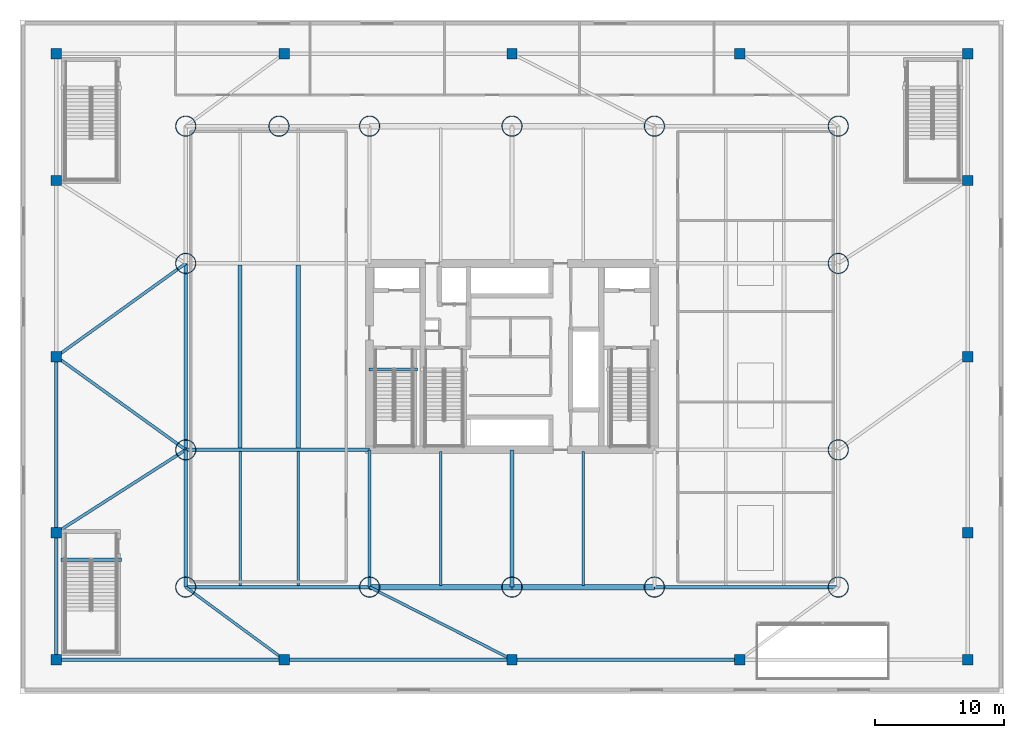
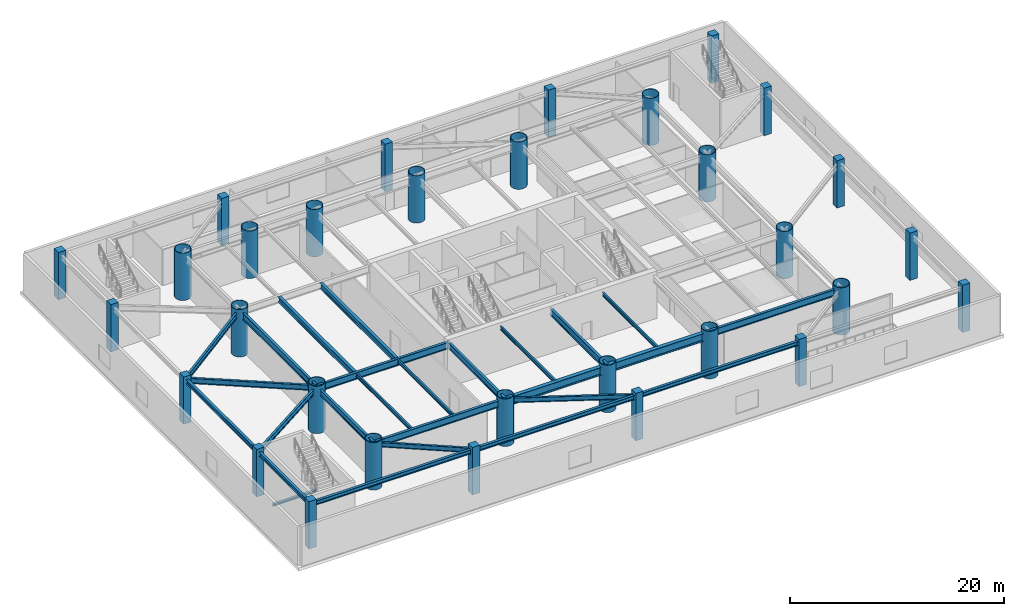
# One storey, part 1 of 16: 31 columns, 27 beams.
"""IFC4 building model written with IfcOpenShell, lengths in metres."""

import ifcopenshell
import ifcopenshell.guid

model = None  # the IFC model being written
_history = None  # IfcOwnerHistory: only IFC2X3 demands one
_inside = {}  # id of a spatial element -> (the spatial element, [elements in it])
_under = {}  # id of a project, library or spatial element -> (it, [spatial elements below it])
_declared = {}  # id of a project -> (the project, [libraries it declares])
_typed = {}  # id of a type object -> (the type object, [elements of that type])
_made_of = {}  # id of a material, layer set ... -> (it, [elements and type objects made of it])


def new_model(schema):
    """Start an empty IFC model of exactly this schema.

    Asked for "IFC4X3", IfcOpenShell would pick the latest addendum, in which some entities
    have other attributes; the version numbers below select the first issue.
    IFC2X3 requires an IfcOwnerHistory on every rooted entity: one is made here for all.
    """
    global model, _history
    if schema == "IFC4X3":
        model = ifcopenshell.file(schema_version=(4, 3, 0, 0))
    else:
        model = ifcopenshell.file(schema=schema)
    _inside.clear()
    _under.clear()
    _declared.clear()
    _typed.clear()
    _made_of.clear()
    _history = None
    if model.schema == "IFC2X3":
        org = make("IfcOrganization", Name="unknown")
        user = make(
            "IfcPersonAndOrganization",
            ThePerson=make("IfcPerson", FamilyName="unknown"),
            TheOrganization=org,
        )
        app = make(
            "IfcApplication",
            ApplicationDeveloper=org,
            Version="unknown",
            ApplicationFullName="unknown",
            ApplicationIdentifier="unknown",
        )
        _history = make(
            "IfcOwnerHistory",
            OwningUser=user,
            OwningApplication=app,
            ChangeAction="ADDED",
            CreationDate=0,
        )
    return model


def make(cls, **values):
    """One entity of the class cls with the attributes given. An attribute that is None is left unset."""
    return model.create_entity(
        cls, **{name: value for name, value in values.items() if value is not None}
    )


def rooted(cls, **values):
    """An entity with a GlobalId (a new one), such as an element, a storey or a relation."""
    return make(cls, GlobalId=ifcopenshell.guid.new(), OwnerHistory=_history, **values)


def si_unit(unit_type, name, prefix=None):
    """IfcSIUnit, for example si_unit("LENGTHUNIT", "METRE", prefix="MILLI")."""
    return make("IfcSIUnit", UnitType=unit_type, Prefix=prefix, Name=name)


def assignment(units):
    """IfcUnitAssignment: the units of a project."""
    return None if units is None else make("IfcUnitAssignment", Units=units)


def point(xyz):
    """IfcCartesianPoint."""
    return None if xyz is None else make("IfcCartesianPoint", Coordinates=xyz)


def direction(xyz):
    """IfcDirection."""
    return None if xyz is None else make("IfcDirection", DirectionRatios=xyz)


def frame(location, z_axis=None, x_axis=None):
    """IfcAxis2Placement3D, a coordinate frame: its origin and axes. An axis left out is left unset."""
    return make(
        "IfcAxis2Placement3D",
        Location=point(location),
        Axis=direction(z_axis),
        RefDirection=direction(x_axis),
    )


def frame_2d(location, x_axis=None):
    """IfcAxis2Placement2D, a coordinate frame in the plane: its origin and x axis."""
    return make(
        "IfcAxis2Placement2D", Location=point(location), RefDirection=direction(x_axis)
    )


def origin():
    """The frame at (0, 0, 0) with its axes left unset."""
    return frame((0.0, 0.0, 0.0))


def origin_2d():
    """The frame at (0, 0) in the plane with its x axis left unset."""
    return frame_2d((0.0, 0.0))


def place(relative_to, where):
    """IfcLocalPlacement: puts the frame where relative to a parent placement (None: the world)."""
    return make(
        "IfcLocalPlacement", PlacementRelTo=relative_to, RelativePlacement=where
    )


def context(
    kind, dimensions, precision=None, world=None, true_north=None, identifier=None
):
    """IfcGeometricRepresentationContext, for example the 3D "Model" context."""
    return make(
        "IfcGeometricRepresentationContext",
        ContextIdentifier=identifier,
        ContextType=kind,
        CoordinateSpaceDimension=dimensions,
        Precision=precision,
        WorldCoordinateSystem=world,
        TrueNorth=true_north,
    )


def subcontext(parent, identifier, kind, view, scale=None):
    """IfcGeometricRepresentationSubContext, for example "Body" below "Model"."""
    return make(
        "IfcGeometricRepresentationSubContext",
        ContextIdentifier=identifier,
        ContextType=kind,
        ParentContext=parent,
        TargetScale=scale,
        TargetView=view,
    )


def project(units=None, contexts=None):
    """IfcProject with its units and contexts."""
    return rooted(
        "IfcProject",
        Name="project",
        RepresentationContexts=contexts,
        UnitsInContext=assignment(units),
    )


def spatial(cls, under=None, at=None, **own):
    """A site, building, storey or space (cls), placed at a placement, below another one or the project."""
    s = rooted(cls, ObjectPlacement=at, **own)
    if under is not None:
        _under.setdefault(under.id(), (under, []))[1].append(s)
    return s


def profile(cls, at=None, kind="AREA", **sizes):
    """A parametric profile (cls). Its sizes go by their IFC names, for example OverallWidth=200.0."""
    return make(cls, ProfileType=kind, Position=at, **sizes)


def rectangle(**sizes):
    """IfcRectangleProfileDef."""
    return profile("IfcRectangleProfileDef", **sizes)


def hollow_circle(**sizes):
    """IfcCircleHollowProfileDef."""
    return profile("IfcCircleHollowProfileDef", **sizes)


def i_section(**sizes):
    """IfcIShapeProfileDef."""
    return profile("IfcIShapeProfileDef", **sizes)


def extrude(swept, where, along, depth):
    """IfcExtrudedAreaSolid: the profile swept, set in the frame where, extruded along a direction by depth."""
    return make(
        "IfcExtrudedAreaSolid",
        SweptArea=swept,
        Position=where,
        ExtrudedDirection=direction(along),
        Depth=depth,
    )


def shape(context_of_items, identifier, shape_type, items):
    """IfcShapeRepresentation: the items that make up one representation, for example the "Body"."""
    return make(
        "IfcShapeRepresentation",
        ContextOfItems=context_of_items,
        RepresentationIdentifier=identifier,
        RepresentationType=shape_type,
        Items=items,
    )


def material(Name=None, Category=None):
    """IfcMaterial."""
    return make("IfcMaterial", Name=Name, Category=Category)


def material_profile(
    of_material, cross_section, Name=None, Category=None, Priority=None
):
    """IfcMaterialProfile: a cross section and its material."""
    return make(
        "IfcMaterialProfile",
        Name=Name,
        Material=of_material,
        Profile=cross_section,
        Priority=Priority,
        Category=Category,
    )


def profile_set(profiles, Name=None, composite=None):
    """IfcMaterialProfileSet."""
    return make(
        "IfcMaterialProfileSet",
        Name=Name,
        MaterialProfiles=profiles,
        CompositeProfile=composite,
    )


def made_of(thing, what):
    """Note that an element or type object is made of a material, layer set ...; save() writes the relation."""
    if what is not None:
        _made_of.setdefault(what.id(), (what, []))[1].append(thing)
    return thing


def type_object(cls, material=None, **own):
    """A type object (cls), such as IfcWallType, which elements share."""
    return made_of(rooted(cls, **own), material)


def element(
    cls,
    number,
    at=None,
    inside=None,
    cuts=None,
    type_object=None,
    material=None,
    context=None,
    identifier="Body",
    shape_type=None,
    held_by="IfcProductDefinitionShape",
    body=None,
    shapes=None,
    **own,
):
    """One element of the class cls, such as IfcWall. Its Tag is "e" and its number.

    at: its placement. inside: the storey or other place that contains it. cuts: it is an
    opening in that element (IfcRelVoidsElement). A single representation is given by context,
    identifier, shape_type and body (its items); several are given by shapes. held_by: the class
    of the entity that holds the representations. save() writes the other relations.
    """
    e = rooted(cls, Tag="e%d" % number, ObjectPlacement=at, **own)
    if body is not None:
        shapes = [shape(context, identifier, shape_type, body)]
    if shapes is not None:
        e.Representation = make(held_by, Representations=shapes)
    if inside is not None:
        _inside.setdefault(inside.id(), (inside, []))[1].append(e)
    if cuts is not None:
        rooted(
            "IfcRelVoidsElement", RelatingBuildingElement=cuts, RelatedOpeningElement=e
        )
    if type_object is not None:
        _typed.setdefault(type_object.id(), (type_object, []))[1].append(e)
    return made_of(e, material)


def aggregate(whole, parts):
    """IfcRelAggregates: a whole, such as a stair, and the parts it consists of."""
    return rooted("IfcRelAggregates", RelatingObject=whole, RelatedObjects=parts)


def save(model, path):
    """Write the relations noted so far, then the file.

    IfcRelAggregates (storeys below a building ...), IfcRelContainedInSpatialStructure (elements
    in a storey), IfcRelDefinesByType, IfcRelAssociatesMaterial and IfcRelDeclares: one each for
    every whole, place, type object, material and project.
    """
    for whole, parts in _under.values():
        aggregate(whole, parts)
    for where, things in _inside.values():
        rooted(
            "IfcRelContainedInSpatialStructure",
            RelatedElements=things,
            RelatingStructure=where,
        )
    for kind, things in _typed.values():
        rooted("IfcRelDefinesByType", RelatedObjects=things, RelatingType=kind)
    for what, things in _made_of.values():
        rooted("IfcRelAssociatesMaterial", RelatedObjects=things, RelatingMaterial=what)
    for by, libraries in _declared.values():
        rooted("IfcRelDeclares", RelatingContext=by, RelatedDefinitions=libraries)
    model.write(path)


model = new_model("IFC4")

# Units and contexts
model_context = context("Model", 3, precision=1e-05, world=origin(), true_north=direction((0.0, 1.0)))
body_context = subcontext(model_context, "Body", "Model", "MODEL_VIEW")
ifc_project = project(units=[si_unit("LENGTHUNIT", "METRE"), si_unit("AREAUNIT", "SQUARE_METRE"), si_unit("VOLUMEUNIT", "CUBIC_METRE"), si_unit("PLANEANGLEUNIT", "RADIAN"), si_unit("MASSUNIT", "GRAM", prefix="KILO")], contexts=[model_context])

# Site, building, storey
site_placement = place(None, origin())
site = spatial("IfcSite", under=ifc_project, at=site_placement, CompositionType="ELEMENT")
building_placement = place(site_placement, origin())
building = spatial("IfcBuilding", under=site, at=building_placement, Name="Bramvorn Convention Spire", CompositionType="ELEMENT")
storey_placement = place(building_placement, frame((0.0, 0.0, 30.0)))
storey = spatial("IfcBuildingStorey", under=building, at=storey_placement, Name="L05", CompositionType="ELEMENT", Elevation=30.0)

# Columns
ifc_material_1 = material(Name="Steel CSA G40.21 Grade 350 (350W)", Category="steel")
ifc_material_profile_1 = material_profile(ifc_material_1, hollow_circle(Radius=0.800048828125, WallThickness=0.06005859375, at=origin_2d()))
ifc_profile_set_1 = profile_set([ifc_material_profile_1], Name="Steel CSA G40.21 Grade 350 (350W) - CFT1600X60")
column_type_1 = type_object("IfcColumnType", Name="COL-CFT1600X60", PredefinedType="COLUMN", material=ifc_profile_set_1)
for number, where, z_axis, x_axis, name in (
    (1, (12.800048828125, 8.199951171875, 0.0), (0.0, 0.0, 1.0), (1.0, 0.0, 0.0), "L05 podium transfer mega-column PR01"),
    (2, (27.0, 8.199951171875, 0.0), (0.0, 0.0, 1.0), (1.0, 0.0, 0.0), "L05 podium transfer mega-column PR02"),
    (3, (38.0, 8.199951171875, 0.0), (0.0, 0.0, 1.0), (1.0, 0.0, 0.0), "L05 podium transfer mega-column PR13"),
    (4, (49.0, 8.199951171875, 0.0), (0.0, 0.0, 1.0), (1.0, 0.0, 0.0), "L05 podium transfer mega-column PR03"),
    (5, (63.199951171875, 8.199951171875, 0.0), (0.0, 0.0, 1.0), (1.0, 0.0, 0.0), "L05 podium transfer mega-column PR04"),
    (6, (12.800048828125, 18.800048828125, 0.0), (0.0, 0.0, 1.0), (1.0, 0.0, 0.0), "L05 podium transfer mega-column PR05"),
    (7, (63.199951171875, 18.800048828125, 0.0), (0.0, 0.0, 1.0), (1.0, 0.0, 0.0), "L05 podium transfer mega-column PR06"),
    (8, (12.800048828125, 33.199951171875, 0.0), (0.0, 0.0, 1.0), (1.0, 0.0, 0.0), "L05 podium transfer mega-column PR07"),
    (9, (63.199951171875, 33.199951171875, 0.0), (0.0, 0.0, 1.0), (1.0, 0.0, 0.0), "L05 podium transfer mega-column PR08"),
    (10, (12.800048828125, 43.800048828125, 0.0), (0.0, 0.0, 1.0), (1.0, 0.0, 0.0), "L05 podium transfer mega-column PR09"),
    (11, (20.0, 43.800048828125, 0.0), (0.0, 0.0, 1.0), (1.0, 0.0, 0.0), "L05 podium transfer mega-column PR15"),
    (12, (27.0, 43.800048828125, 0.0), (0.0, 0.0, 1.0), (1.0, 0.0, 0.0), "L05 podium transfer mega-column PR10"),
    (13, (38.0, 43.800048828125, 0.0), (0.0, 0.0, 1.0), (1.0, 0.0, 0.0), "L05 podium transfer mega-column PR14"),
    (14, (49.0, 43.800048828125, 0.0), (0.0, 0.0, 1.0), (1.0, 0.0, 0.0), "L05 podium transfer mega-column PR11"),
    (15, (63.199951171875, 43.800048828125, 0.0), (0.0, 0.0, 1.0), (1.0, 0.0, 0.0), "L05 podium transfer mega-column PR12"),
):
    element("IfcColumn", number, at=place(storey_placement, frame(where, z_axis=z_axis, x_axis=x_axis)), inside=storey, type_object=column_type_1, Name=name, PredefinedType="COLUMN", context=body_context, shape_type="SweptSolid", body=[
        extrude(hollow_circle(Radius=0.800048828125, WallThickness=0.06005859375, at=origin_2d()), origin(), (0.0, 0.0, 1.0), 5.39990234375),
    ])
ifc_material_2 = material(Name="Concrete C60/70", Category="concrete")
ifc_material_profile_2 = material_profile(ifc_material_2, rectangle(XDim=0.800048828125, YDim=0.800048828125, at=origin_2d()))
ifc_profile_set_2 = profile_set([ifc_material_profile_2], Name="Concrete C60/70 - RC800X800")
column_type_2 = type_object("IfcColumnType", Name="COL-RC800X800", PredefinedType="COLUMN", material=ifc_profile_set_2)
for number, where, z_axis, x_axis, name in (
    (16, (2.800048828125, 2.60009765625, 0.0), (0.0, 0.0, 1.0), (1.0, 0.0, 0.0), "L05 podium perimeter column PC01"),
    (17, (2.800048828125, 12.39990234375, 0.0), (0.0, 0.0, 1.0), (1.0, 0.0, 0.0), "L05 podium perimeter column PC02"),
    (18, (2.800048828125, 26.0, 0.0), (0.0, 0.0, 1.0), (1.0, 0.0, 0.0), "L05 podium perimeter column PC03"),
    (19, (2.800048828125, 39.60009765625, 0.0), (0.0, 0.0, 1.0), (1.0, 0.0, 0.0), "L05 podium perimeter column PC04"),
    (20, (2.800048828125, 49.39990234375, 0.0), (0.0, 0.0, 1.0), (1.0, 0.0, 0.0), "L05 podium perimeter column PC05"),
    (21, (73.199951171875, 2.60009765625, 0.0), (0.0, 0.0, 1.0), (1.0, 0.0, 0.0), "L05 podium perimeter column PC06"),
    (22, (73.199951171875, 12.39990234375, 0.0), (0.0, 0.0, 1.0), (1.0, 0.0, 0.0), "L05 podium perimeter column PC07"),
    (23, (73.199951171875, 26.0, 0.0), (0.0, 0.0, 1.0), (1.0, 0.0, 0.0), "L05 podium perimeter column PC08"),
    (24, (73.199951171875, 39.60009765625, 0.0), (0.0, 0.0, 1.0), (1.0, 0.0, 0.0), "L05 podium perimeter column PC09"),
    (25, (73.199951171875, 49.39990234375, 0.0), (0.0, 0.0, 1.0), (1.0, 0.0, 0.0), "L05 podium perimeter column PC10"),
    (26, (20.39990234375, 2.60009765625, 0.0), (0.0, 0.0, 1.0), (1.0, 0.0, 0.0), "L05 podium perimeter column PC11"),
    (27, (38.0, 2.60009765625, 0.0), (0.0, 0.0, 1.0), (1.0, 0.0, 0.0), "L05 podium perimeter column PC12"),
    (28, (55.60009765625, 2.60009765625, 0.0), (0.0, 0.0, 1.0), (1.0, 0.0, 0.0), "L05 podium perimeter column PC13"),
    (29, (20.39990234375, 49.39990234375, 0.0), (0.0, 0.0, 1.0), (1.0, 0.0, 0.0), "L05 podium perimeter column PC14"),
    (30, (38.0, 49.39990234375, 0.0), (0.0, 0.0, 1.0), (1.0, 0.0, 0.0), "L05 podium perimeter column PC15"),
    (31, (55.60009765625, 49.39990234375, 0.0), (0.0, 0.0, 1.0), (1.0, 0.0, 0.0), "L05 podium perimeter column PC16"),
):
    element("IfcColumn", number, at=place(storey_placement, frame(where, z_axis=z_axis, x_axis=x_axis)), inside=storey, type_object=column_type_2, Name=name, PredefinedType="COLUMN", context=body_context, shape_type="SweptSolid", body=[
        extrude(rectangle(XDim=0.800048828125, YDim=0.800048828125, at=origin_2d()), origin(), (0.0, 0.0, 1.0), 5.39990234375),
    ])

# Beams
ifc_material_profile_3 = material_profile(ifc_material_1, i_section(OverallWidth=0.25390625, OverallDepth=0.2529296875, WebThickness=0.008544921875, FlangeThickness=0.01416015625, FilletRadius=0.011962890625, at=origin_2d()))
ifc_profile_set_3 = profile_set([ifc_material_profile_3], Name="Steel CSA G40.21 Grade 350 (350W) - W250X73")
beam_type_1 = type_object("IfcBeamType", Name="BM-W250X73", PredefinedType="BEAM", material=ifc_profile_set_3)
beam_1_placement = place(storey_placement, frame((26.949951171875, 25.010009765625, -0.12646484375), z_axis=(1.0, 0.0, 0.0), x_axis=(0.0, 1.0, 0.0)))
element("IfcBeam", 32, at=beam_1_placement, inside=storey, type_object=beam_type_1, Name="L05 ST1 stair arrival header beam", PredefinedType="BEAM", context=body_context, shape_type="SweptSolid", body=[
    extrude(i_section(OverallWidth=0.25390625, OverallDepth=0.2529296875, WebThickness=0.008544921875, FlangeThickness=0.01416015625, FilletRadius=0.011962890625, at=origin_2d()), origin(), (0.0, 0.0, 1.0), 3.739990234375),
])
beam_2_placement = place(storey_placement, frame((3.14990234375, 10.31005859375, -0.12646484375), z_axis=(1.0, 0.0, 0.0), x_axis=(0.0, 1.0, 0.0)))
element("IfcBeam", 33, at=beam_2_placement, inside=storey, type_object=beam_type_1, Name="L05 ST4 stair arrival header beam", PredefinedType="BEAM", context=body_context, shape_type="SweptSolid", body=[
    extrude(i_section(OverallWidth=0.25390625, OverallDepth=0.2529296875, WebThickness=0.008544921875, FlangeThickness=0.01416015625, FilletRadius=0.011962890625, at=origin_2d()), origin(), (0.0, 0.0, 1.0), 4.68017578125),
])
ifc_material_profile_4 = material_profile(ifc_material_1, i_section(OverallWidth=0.180908203125, OverallDepth=0.4169921875, WebThickness=0.010986328125, FlangeThickness=0.018310546875, FilletRadius=0.01611328125, at=origin_2d()))
ifc_profile_set_4 = profile_set([ifc_material_profile_4], Name="Steel CSA G40.21 Grade 350 (350W) - W410X85")
beam_type_2 = type_object("IfcBeamType", Name="BM-W410X85", PredefinedType="JOIST", material=ifc_profile_set_4)
for number, where, z_axis, x_axis, name in (
    (34, (17.0, 8.340087890625, 4.79150390625), (0.0, 1.0, 0.0), (-1.0, 0.0, 0.0), "L05 side hall joist S-1"),
    (35, (21.5, 8.340087890625, 4.79150390625), (0.0, 1.0, 0.0), (-1.0, 0.0, 0.0), "L05 side hall joist S-2"),
    (36, (32.5, 8.340087890625, 4.79150390625), (0.0, 1.0, 0.0), (-1.0, 0.0, 0.0), "L05 south hall composite joist 3"),
    (37, (43.5, 8.340087890625, 4.79150390625), (0.0, 1.0, 0.0), (-1.0, 0.0, 0.0), "L05 south hall composite joist 4"),
):
    element("IfcBeam", number, at=place(storey_placement, frame(where, z_axis=z_axis, x_axis=x_axis)), inside=storey, type_object=beam_type_2, Name=name, PredefinedType="JOIST", context=body_context, shape_type="SweptSolid", body=[
        extrude(i_section(OverallWidth=0.180908203125, OverallDepth=0.4169921875, WebThickness=0.010986328125, FlangeThickness=0.018310546875, FilletRadius=0.01611328125, at=origin_2d()), origin(), (0.0, 0.0, 1.0), 10.31982421875),
    ])
ifc_material_profile_5 = material_profile(ifc_material_1, i_section(OverallWidth=0.283935546875, OverallDepth=0.47607421875, WebThickness=0.014892578125, FlangeThickness=0.02392578125, FilletRadius=0.01806640625, at=origin_2d()))
ifc_profile_set_5 = profile_set([ifc_material_profile_5], Name="Steel CSA G40.21 Grade 350 (350W) - W460X158")
beam_type_3 = type_object("IfcBeamType", Name="BM-W460X158", PredefinedType="SPANDREL", material=ifc_profile_set_5)
beam_3_placement = place(storey_placement, frame((2.800048828125, 2.60009765625, 4.761962890625), z_axis=(1.0, 0.0, 0.0), x_axis=(0.0, 1.0, 0.0)))
element("IfcBeam", 38, at=beam_3_placement, inside=storey, type_object=beam_type_3, Name="L05 podium spandrel beam 01", PredefinedType="SPANDREL", context=body_context, shape_type="SweptSolid", body=[
    extrude(i_section(OverallWidth=0.283935546875, OverallDepth=0.47607421875, WebThickness=0.014892578125, FlangeThickness=0.02392578125, FilletRadius=0.01806640625, at=origin_2d()), origin(), (0.0, 0.0, 1.0), 17.599853515625),
])
for number, where, z_axis, x_axis, name in (
    (39, (20.39990234375, 2.60009765625, 4.761962890625), (1.0, 0.0, 0.0), (0.0, 1.0, 0.0), "L05 podium spandrel beam 02"),
    (40, (38.0, 2.60009765625, 4.761962890625), (1.0, 0.0, 0.0), (0.0, 1.0, 0.0), "L05 podium spandrel beam 03"),
):
    element("IfcBeam", number, at=place(storey_placement, frame(where, z_axis=z_axis, x_axis=x_axis)), inside=storey, type_object=beam_type_3, Name=name, PredefinedType="SPANDREL", context=body_context, shape_type="SweptSolid", body=[
        extrude(i_section(OverallWidth=0.283935546875, OverallDepth=0.47607421875, WebThickness=0.014892578125, FlangeThickness=0.02392578125, FilletRadius=0.01806640625, at=origin_2d()), origin(), (0.0, 0.0, 1.0), 17.60009765625),
    ])
beam_4_placement = place(storey_placement, frame((2.800048828125, 26.0, 4.761962890625), z_axis=(0.0, -1.0, 0.0), x_axis=(1.0, 0.0, 0.0)))
element("IfcBeam", 41, at=beam_4_placement, inside=storey, type_object=beam_type_3, Name="L05 podium spandrel beam 15", PredefinedType="SPANDREL", context=body_context, shape_type="SweptSolid", body=[
    extrude(i_section(OverallWidth=0.283935546875, OverallDepth=0.47607421875, WebThickness=0.014892578125, FlangeThickness=0.02392578125, FilletRadius=0.01806640625, at=origin_2d()), origin(), (0.0, 0.0, 1.0), 13.60009765625),
])
beam_5_placement = place(storey_placement, frame((2.800048828125, 12.39990234375, 4.761962890625), z_axis=(0.0, -1.0, 0.0), x_axis=(1.0, 0.0, 0.0)))
element("IfcBeam", 42, at=beam_5_placement, inside=storey, type_object=beam_type_3, Name="L05 podium spandrel beam 16", PredefinedType="SPANDREL", context=body_context, shape_type="SweptSolid", body=[
    extrude(i_section(OverallWidth=0.283935546875, OverallDepth=0.47607421875, WebThickness=0.014892578125, FlangeThickness=0.02392578125, FilletRadius=0.01806640625, at=origin_2d()), origin(), (0.0, 0.0, 1.0), 9.7998046875),
])
ifc_material_profile_6 = material_profile(ifc_material_1, i_section(OverallWidth=0.2119140625, OverallDepth=0.5439453125, WebThickness=0.01318359375, FlangeThickness=0.021240234375, FilletRadius=0.01904296875, at=origin_2d()))
ifc_profile_set_6 = profile_set([ifc_material_profile_6], Name="Steel CSA G40.21 Grade 350 (350W) - W530X123")
beam_type_4 = type_object("IfcBeamType", Name="BM-W530X123", PredefinedType="BEAM", material=ifc_profile_set_6)
beam_6_placement = place(storey_placement, frame((20.39990234375, 2.60009765625, 4.72802734375), z_axis=(-0.805057787445, 0.593196391488, 0.0), x_axis=(-0.593196391488, -0.805057787445, 0.0)))
element("IfcBeam", 43, at=beam_6_placement, inside=storey, type_object=beam_type_4, Name="L05 podium primary girder 28", PredefinedType="BEAM", context=body_context, shape_type="SweptSolid", body=[
    extrude(i_section(OverallWidth=0.2119140625, OverallDepth=0.5439453125, WebThickness=0.01318359375, FlangeThickness=0.021240234375, FilletRadius=0.01904296875, at=origin_2d()), origin(), (0.0, 0.0, 1.0), 9.440185546875),
])
beam_7_placement = place(storey_placement, frame((38.0, 2.60009765625, 4.72802734375), z_axis=(-0.891167913636, 0.453673615835, 0.0), x_axis=(-0.453673615835, -0.891167913636, 0.0)))
element("IfcBeam", 44, at=beam_7_placement, inside=storey, type_object=beam_type_4, Name="L05 podium primary girder 29", PredefinedType="BEAM", context=body_context, shape_type="SweptSolid", body=[
    extrude(i_section(OverallWidth=0.2119140625, OverallDepth=0.5439453125, WebThickness=0.01318359375, FlangeThickness=0.021240234375, FilletRadius=0.01904296875, at=origin_2d()), origin(), (0.0, 0.0, 1.0), 12.34326171875),
])
ifc_material_profile_7 = material_profile(ifc_material_1, i_section(OverallWidth=0.22998046875, OverallDepth=0.616943359375, WebThickness=0.01318359375, FlangeThickness=0.022216796875, FilletRadius=0.02001953125, at=origin_2d()))
ifc_profile_set_7 = profile_set([ifc_material_profile_7], Name="Steel CSA G40.21 Grade 350 (350W) - W610X140")
beam_type_5 = type_object("IfcBeamType", Name="BM-W610X140", PredefinedType="BEAM", material=ifc_profile_set_7)
for number, where, z_axis, x_axis, name in (
    (45, (2.800048828125, 26.0, 4.69140625), (0.811536220436, -0.584302116135, 0.0), (0.584302116135, 0.811536220436, 0.0), "L05 podium primary girder 26"),
    (46, (2.800048828125, 26.0, 4.69140625), (0.811536220436, 0.584302116135, 0.0), (-0.584302116135, 0.811536220436, 0.0), "L05 podium primary girder 27"),
):
    element("IfcBeam", number, at=place(storey_placement, frame(where, z_axis=z_axis, x_axis=x_axis)), inside=storey, type_object=beam_type_5, Name=name, PredefinedType="BEAM", context=body_context, shape_type="SweptSolid", body=[
        extrude(i_section(OverallWidth=0.22998046875, OverallDepth=0.616943359375, WebThickness=0.01318359375, FlangeThickness=0.022216796875, FilletRadius=0.02001953125, at=origin_2d()), origin(), (0.0, 0.0, 1.0), 12.322265625),
    ])
beam_8_placement = place(storey_placement, frame((2.800048828125, 12.39990234375, 4.69140625), z_axis=(0.842265798855, 0.539062449145, 0.0), x_axis=(-0.539062449145, 0.842265798855, 0.0)))
element("IfcBeam", 47, at=beam_8_placement, inside=storey, type_object=beam_type_5, Name="L05 west podium tie girder 1", PredefinedType="BEAM", context=body_context, shape_type="SweptSolid", body=[
    extrude(i_section(OverallWidth=0.22998046875, OverallDepth=0.616943359375, WebThickness=0.01318359375, FlangeThickness=0.022216796875, FilletRadius=0.02001953125, at=origin_2d()), origin(), (0.0, 0.0, 1.0), 11.872802734375),
])
ifc_material_profile_8 = material_profile(ifc_material_1, i_section(OverallWidth=0.327880859375, OverallDepth=0.6279296875, WebThickness=0.0166015625, FlangeThickness=0.027587890625, FilletRadius=0.02001953125, at=origin_2d()))
ifc_profile_set_8 = profile_set([ifc_material_profile_8], Name="Steel CSA G40.21 Grade 350 (350W) - W610X217")
beam_type_6 = type_object("IfcBeamType", Name="BM-W610X217", PredefinedType="BEAM", material=ifc_profile_set_8)
for number, where, z_axis, x_axis, name in (
    (48, (17.0, 18.93994140625, 4.68603515625), (0.0, 1.0, 0.0), (-1.0, 0.0, 0.0), "L05 main exhibition clear-span joist M-1"),
    (49, (21.5, 18.93994140625, 4.68603515625), (0.0, 1.0, 0.0), (-1.0, 0.0, 0.0), "L05 main exhibition clear-span joist M-2"),
):
    element("IfcBeam", number, at=place(storey_placement, frame(where, z_axis=z_axis, x_axis=x_axis)), inside=storey, type_object=beam_type_6, Name=name, PredefinedType="BEAM", context=body_context, shape_type="SweptSolid", body=[
        extrude(i_section(OverallWidth=0.327880859375, OverallDepth=0.6279296875, WebThickness=0.0166015625, FlangeThickness=0.027587890625, FilletRadius=0.02001953125, at=origin_2d()), origin(), (0.0, 0.0, 1.0), 14.1201171875),
    ])
ifc_material_profile_9 = material_profile(ifc_material_1, i_section(OverallWidth=0.256103515625, OverallDepth=0.693115234375, WebThickness=0.014404296875, FlangeThickness=0.023681640625, FilletRadius=0.02197265625, at=origin_2d()))
ifc_profile_set_9 = profile_set([ifc_material_profile_9], Name="Steel CSA G40.21 Grade 350 (350W) - W690X170")
beam_type_7 = type_object("IfcBeamType", Name="BM-W690X170", PredefinedType="BEAM", material=ifc_profile_set_9)
for number, where, z_axis, x_axis, name in (
    (50, (12.800048828125, 8.199951171875, 4.653564453125), (0.0, 1.0, 0.0), (-1.0, 0.0, 0.0), "L05 podium primary girder 12"),
    (51, (27.0, 8.199951171875, 4.653564453125), (0.0, 1.0, 0.0), (-1.0, 0.0, 0.0), "L05 podium primary girder 22"),
):
    element("IfcBeam", number, at=place(storey_placement, frame(where, z_axis=z_axis, x_axis=x_axis)), inside=storey, type_object=beam_type_7, Name=name, PredefinedType="BEAM", context=body_context, shape_type="SweptSolid", body=[
        extrude(i_section(OverallWidth=0.256103515625, OverallDepth=0.693115234375, WebThickness=0.014404296875, FlangeThickness=0.023681640625, FilletRadius=0.02197265625, at=origin_2d()), origin(), (0.0, 0.0, 1.0), 10.60009765625),
    ])
ifc_material_profile_10 = material_profile(ifc_material_1, i_section(OverallWidth=0.27099609375, OverallDepth=0.76806640625, WebThickness=0.0166015625, FlangeThickness=0.02685546875, FilletRadius=0.02197265625, at=origin_2d()))
ifc_profile_set_10 = profile_set([ifc_material_profile_10], Name="Steel CSA G40.21 Grade 350 (350W) - W760X220")
beam_type_8 = type_object("IfcBeamType", Name="BM-W760X220", PredefinedType="BEAM", material=ifc_profile_set_10)
for number, where, z_axis, x_axis, name in (
    (52, (12.800048828125, 8.199951171875, 4.615966796875), (1.0, 0.0, 0.0), (0.0, 1.0, 0.0), "L05 podium primary girder 01"),
    (53, (49.0, 8.199951171875, 4.615966796875), (1.0, 0.0, 0.0), (0.0, 1.0, 0.0), "L05 podium primary girder 04"),
):
    element("IfcBeam", number, at=place(storey_placement, frame(where, z_axis=z_axis, x_axis=x_axis)), inside=storey, type_object=beam_type_8, Name=name, PredefinedType="BEAM", context=body_context, shape_type="SweptSolid", body=[
        extrude(i_section(OverallWidth=0.27099609375, OverallDepth=0.76806640625, WebThickness=0.0166015625, FlangeThickness=0.02685546875, FilletRadius=0.02197265625, at=origin_2d()), origin(), (0.0, 0.0, 1.0), 14.199951171875),
    ])
beam_9_placement = place(storey_placement, frame((38.0, 8.199951171875, 4.615966796875), z_axis=(0.0, 1.0, 0.0), x_axis=(-1.0, 0.0, 0.0)))
element("IfcBeam", 54, at=beam_9_placement, inside=storey, type_object=beam_type_8, Name="L05 podium primary girder 09", PredefinedType="BEAM", context=body_context, shape_type="SweptSolid", body=[
    extrude(i_section(OverallWidth=0.27099609375, OverallDepth=0.76806640625, WebThickness=0.0166015625, FlangeThickness=0.02685546875, FilletRadius=0.02197265625, at=origin_2d()), origin(), (0.0, 0.0, 1.0), 10.60009765625),
])
beam_10_placement = place(storey_placement, frame((12.800048828125, 18.800048828125, 4.615966796875), z_axis=(0.0, 1.0, 0.0), x_axis=(-1.0, 0.0, 0.0)))
element("IfcBeam", 55, at=beam_10_placement, inside=storey, type_object=beam_type_8, Name="L05 podium primary girder 13", PredefinedType="BEAM", context=body_context, shape_type="SweptSolid", body=[
    extrude(i_section(OverallWidth=0.27099609375, OverallDepth=0.76806640625, WebThickness=0.0166015625, FlangeThickness=0.02685546875, FilletRadius=0.02197265625, at=origin_2d()), origin(), (0.0, 0.0, 1.0), 14.39990234375),
])
beam_11_placement = place(storey_placement, frame((12.800048828125, 18.800048828125, 4.615966796875), z_axis=(1.0, 0.0, 0.0), x_axis=(0.0, 1.0, 0.0)))
element("IfcBeam", 56, at=beam_11_placement, inside=storey, type_object=beam_type_8, Name="L05 podium primary girder 18", PredefinedType="BEAM", context=body_context, shape_type="SweptSolid", body=[
    extrude(i_section(OverallWidth=0.27099609375, OverallDepth=0.76806640625, WebThickness=0.0166015625, FlangeThickness=0.02685546875, FilletRadius=0.02197265625, at=origin_2d()), origin(), (0.0, 0.0, 1.0), 14.199951171875),
])
ifc_material_profile_11 = material_profile(ifc_material_1, i_section(OverallWidth=0.41796875, OverallDepth=0.912109375, WebThickness=0.019287109375, FlangeThickness=0.031982421875, FilletRadius=0.02392578125, at=origin_2d()))
ifc_profile_set_11 = profile_set([ifc_material_profile_11], Name="Steel CSA G40.21 Grade 350 (350W) - W920X342")
beam_type_9 = type_object("IfcBeamType", Name="BM-W920X342", PredefinedType="BEAM", material=ifc_profile_set_11)
for number, where, z_axis, x_axis, name in (
    (57, (27.0, 8.199951171875, 4.5439453125), (1.0, 0.0, 0.0), (0.0, 1.0, 0.0), "L05 podium primary girder 02"),
    (58, (38.0, 8.199951171875, 4.5439453125), (1.0, 0.0, 0.0), (0.0, 1.0, 0.0), "L05 podium primary girder 03"),
):
    element("IfcBeam", number, at=place(storey_placement, frame(where, z_axis=z_axis, x_axis=x_axis)), inside=storey, type_object=beam_type_9, Name=name, PredefinedType="BEAM", context=body_context, shape_type="SweptSolid", body=[
        extrude(i_section(OverallWidth=0.41796875, OverallDepth=0.912109375, WebThickness=0.019287109375, FlangeThickness=0.031982421875, FilletRadius=0.02392578125, at=origin_2d()), origin(), (0.0, 0.0, 1.0), 11.0),
    ])

save(model, "model.ifc")
